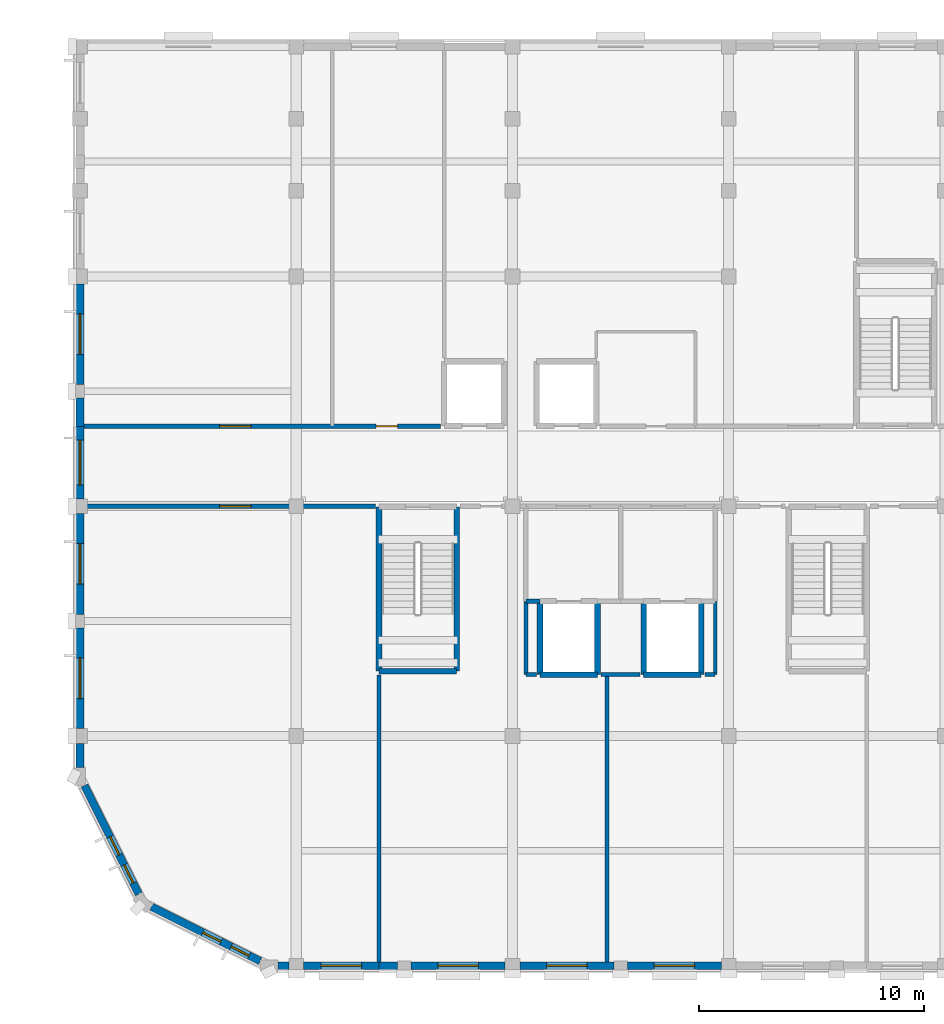
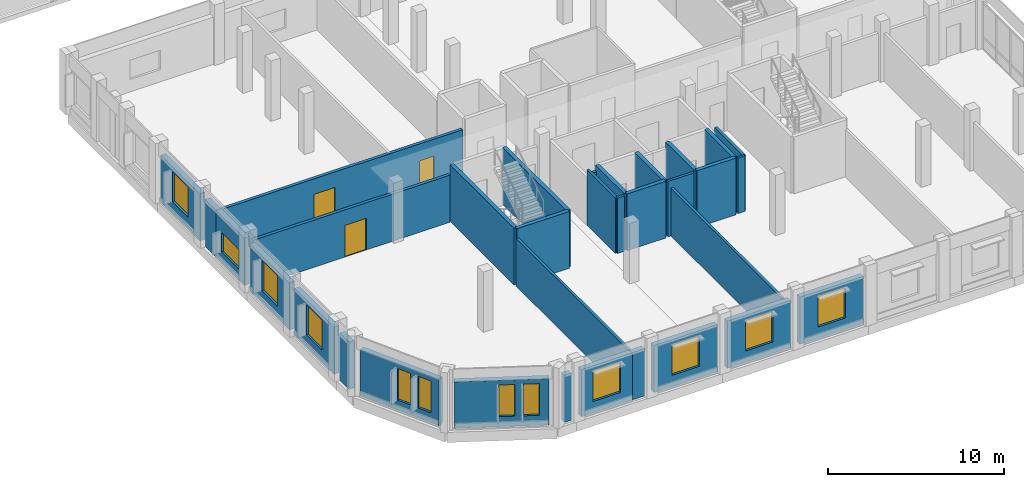
# One storey, part 177 of 200: 33 walls, 12 windows, 3 doors, 15 openings.
"""IFC4 building model written with IfcOpenShell, lengths in metres."""

from ifc_helpers import new_model, si_unit, direction, frame, frame_2d, origin, place, context, subcontext, project, spatial, rectangle, extrude, material, layer, layer_set, type_object, element, fill, save


model = new_model("IFC4")

# Units and contexts
model_context = context("Model", 3, precision=1e-05, world=origin(), true_north=direction((0.0, 1.0)))
body_context = subcontext(model_context, "Body", "Model", "MODEL_VIEW")
ifc_project = project(units=[si_unit("LENGTHUNIT", "METRE"), si_unit("AREAUNIT", "SQUARE_METRE"), si_unit("VOLUMEUNIT", "CUBIC_METRE"), si_unit("PLANEANGLEUNIT", "RADIAN"), si_unit("MASSUNIT", "GRAM", prefix="KILO")], contexts=[model_context])

# Site, building, storey
site_placement = place(None, origin())
site = spatial("IfcSite", under=ifc_project, at=site_placement, CompositionType="ELEMENT")
building_placement = place(site_placement, origin())
building = spatial("IfcBuilding", under=site, at=building_placement, Name="Vondelvale Polytechnic", CompositionType="ELEMENT")
storey_placement = place(building_placement, frame((0.0, 0.0, 13.800048828125)))
storey = spatial("IfcBuildingStorey", under=building, at=storey_placement, Name="L03", CompositionType="ELEMENT", Elevation=13.800048828125)

# Wall, openings, windows
ifc_material_1 = material(Name="Amsterdam School iron-spot clinker clay brickwork", Category="masonry")
ifc_layer_1 = layer(ifc_material_1, 0.340087890625)
ifc_layer_set_1 = layer_set([ifc_layer_1], Name="WL-BRICK-340")
wall_type_1 = type_object("IfcWallType", Name="WL-BRICK-340", PredefinedType="SOLIDWALL", material=ifc_layer_set_1)
wall_1_placement = place(storey_placement, frame((7.9990234375, 0.200439453125, 0.0), z_axis=(0.0, 0.0, 1.0), x_axis=(-0.894418132042, 0.447231712958, 0.0)))
wall_1 = element("IfcWall", 1, at=wall_1_placement, inside=storey, type_object=wall_type_1, Name="L03 exterior masonry facade wall", PredefinedType="SOLIDWALL", context=body_context, shape_type="SweptSolid", body=[
    extrude(rectangle(XDim=5.39013671875, YDim=0.340087890625, at=frame_2d((2.695068359375, 0.0))), origin(), (0.0, 0.0, 1.0), 3.22998046875),
])
opening_1_placement = place(wall_1_placement, frame((0.550048828125, 0.0, 0.699951171875)))
opening_1 = element("IfcOpeningElement", 2, at=opening_1_placement, cuts=wall_1, Name="Opening WN-0204", PredefinedType="OPENING", context=body_context, shape_type="SweptSolid", body=[
    extrude(rectangle(XDim=0.89990234375, YDim=2.199951171875, at=frame_2d((0.449951171875, 1.10009765625))), frame((0.0, 0.179931640625, 0.0), z_axis=(0.0, -1.0, 0.0), x_axis=(1.0, 0.0, 0.0)), (0.0, 0.0, 1.0), 0.360107421875),
])
opening_2_placement = place(wall_1_placement, frame((1.949951171875, 0.0, 0.699951171875)))
opening_2 = element("IfcOpeningElement", 3, at=opening_2_placement, cuts=wall_1, Name="Opening WN-0205", PredefinedType="OPENING", context=body_context, shape_type="SweptSolid", body=[
    extrude(rectangle(XDim=0.89990234375, YDim=2.199951171875, at=frame_2d((0.449951171875, 1.10009765625))), frame((0.0, 0.179931640625, 0.0), z_axis=(0.0, -1.0, 0.0), x_axis=(1.0, 0.0, 0.0)), (0.0, 0.0, 1.0), 0.360107421875),
])
ifc_material_2 = material(Name="Double-glazed low-E insulated architectural glass", Category="glass")
window_type_1 = type_object("IfcWindowType", Name="WN-TUR-0900x2200", PartitioningType="SINGLE_PANEL", PredefinedType="WINDOW", material=ifc_material_2)
window_1_placement = place(opening_1_placement, origin())
window_1 = element("IfcWindow", 4, at=window_1_placement, inside=storey, type_object=window_type_1, Name="L03 double-glazed architectural window WN-0204", OverallHeight=2.199951171875, OverallWidth=0.89990234375, PartitioningType="SINGLE_PANEL", PredefinedType="WINDOW", context=body_context, shape_type="SweptSolid", body=[
    extrude(rectangle(XDim=0.89990234375, YDim=2.199951171875, at=frame_2d((0.449951171875, 1.10009765625))), frame((0.0, 0.030029296875, 0.0), z_axis=(0.0, -1.0, 0.0), x_axis=(1.0, 0.0, 0.0)), (0.0, 0.0, 1.0), 0.06005859375),
])
fill(opening_1, window_1)
window_2_placement = place(opening_2_placement, origin())
window_2 = element("IfcWindow", 5, at=window_2_placement, inside=storey, type_object=window_type_1, Name="L03 double-glazed architectural window WN-0205", OverallHeight=2.199951171875, OverallWidth=0.89990234375, PartitioningType="SINGLE_PANEL", PredefinedType="WINDOW", context=body_context, shape_type="SweptSolid", body=[
    extrude(rectangle(XDim=0.89990234375, YDim=2.199951171875, at=frame_2d((0.449951171875, 1.10009765625))), frame((0.0, 0.030029296875, 0.0), z_axis=(0.0, -1.0, 0.0), x_axis=(1.0, 0.0, 0.0)), (0.0, 0.0, 1.0), 0.06005859375),
])
fill(opening_2, window_2)

wall_2_placement = place(storey_placement, frame((2.611083984375, 3.177978515625, 0.0), z_axis=(0.0, 0.0, 1.0), x_axis=(-0.447231712958, 0.894418132042, 0.0)))
wall_2 = element("IfcWall", 6, at=wall_2_placement, inside=storey, type_object=wall_type_1, Name="L03 exterior masonry facade wall", PredefinedType="SOLIDWALL", context=body_context, shape_type="SweptSolid", body=[
    extrude(rectangle(XDim=5.39013671875, YDim=0.340087890625, at=frame_2d((2.695068359375, 0.0))), origin(), (0.0, 0.0, 1.0), 3.22998046875),
])
opening_3_placement = place(wall_2_placement, frame((0.550048828125, 0.0, 0.699951171875)))
opening_3 = element("IfcOpeningElement", 7, at=opening_3_placement, cuts=wall_2, Name="Opening WN-0206", PredefinedType="OPENING", context=body_context, shape_type="SweptSolid", body=[
    extrude(rectangle(XDim=0.89990234375, YDim=2.199951171875, at=frame_2d((0.449951171875, 1.10009765625))), frame((0.0, 0.179931640625, 0.0), z_axis=(0.0, -1.0, 0.0), x_axis=(1.0, 0.0, 0.0)), (0.0, 0.0, 1.0), 0.360107421875),
])
opening_4_placement = place(wall_2_placement, frame((1.949951171875, 0.0, 0.699951171875)))
opening_4 = element("IfcOpeningElement", 8, at=opening_4_placement, cuts=wall_2, Name="Opening WN-0207", PredefinedType="OPENING", context=body_context, shape_type="SweptSolid", body=[
    extrude(rectangle(XDim=0.89990234375, YDim=2.199951171875, at=frame_2d((0.449951171875, 1.10009765625))), frame((0.0, 0.179931640625, 0.0), z_axis=(0.0, -1.0, 0.0), x_axis=(1.0, 0.0, 0.0)), (0.0, 0.0, 1.0), 0.360107421875),
])
window_3_placement = place(opening_3_placement, origin())
window_3 = element("IfcWindow", 9, at=window_3_placement, inside=storey, type_object=window_type_1, Name="L03 double-glazed architectural window WN-0206", OverallHeight=2.199951171875, OverallWidth=0.89990234375, PartitioningType="SINGLE_PANEL", PredefinedType="WINDOW", context=body_context, shape_type="SweptSolid", body=[
    extrude(rectangle(XDim=0.89990234375, YDim=2.199951171875, at=frame_2d((0.449951171875, 1.10009765625))), frame((0.0, 0.030029296875, 0.0), z_axis=(0.0, -1.0, 0.0), x_axis=(1.0, 0.0, 0.0)), (0.0, 0.0, 1.0), 0.06005859375),
])
fill(opening_3, window_3)
window_4_placement = place(opening_4_placement, origin())
window_4 = element("IfcWindow", 10, at=window_4_placement, inside=storey, type_object=window_type_1, Name="L03 double-glazed architectural window WN-0207", OverallHeight=2.199951171875, OverallWidth=0.89990234375, PartitioningType="SINGLE_PANEL", PredefinedType="WINDOW", context=body_context, shape_type="SweptSolid", body=[
    extrude(rectangle(XDim=0.89990234375, YDim=2.199951171875, at=frame_2d((0.449951171875, 1.10009765625))), frame((0.0, 0.030029296875, 0.0), z_axis=(0.0, -1.0, 0.0), x_axis=(1.0, 0.0, 0.0)), (0.0, 0.0, 1.0), 0.06005859375),
])
fill(opening_4, window_4)

# Wall
wall_3_placement = place(storey_placement, frame((9.27392578125, 0.0, 0.0), z_axis=(0.0, 0.0, 1.0), x_axis=(-1.0, 0.0, 0.0)))
element("IfcWall", 11, at=wall_3_placement, inside=storey, type_object=wall_type_1, Name="L03 exterior masonry facade wall", PredefinedType="SOLIDWALL", context=body_context, shape_type="SweptSolid", body=[
    extrude(rectangle(XDim=0.472900390625, YDim=0.340087890625, at=frame_2d((0.236328125, 0.0))), origin(), (0.0, 0.0, 1.0), 3.280029296875),
])

# Wall, opening, window
wall_4_placement = place(storey_placement, frame((13.27490234375, 0.0, 0.0), z_axis=(0.0, 0.0, 1.0), x_axis=(-1.0, 0.0, 0.0)))
wall_4 = element("IfcWall", 12, at=wall_4_placement, inside=storey, type_object=wall_type_1, Name="L03 exterior masonry facade wall", PredefinedType="SOLIDWALL", context=body_context, shape_type="SweptSolid", body=[
    extrude(rectangle(XDim=3.348876953125, YDim=0.340087890625, at=frame_2d((1.67431640625, 0.0))), origin(), (0.0, 0.0, 1.0), 3.280029296875),
])
opening_5_placement = place(wall_4_placement, frame((0.7744140625, 0.0, 0.800048828125)))
opening_5 = element("IfcOpeningElement", 13, at=opening_5_placement, cuts=wall_4, Name="Opening WN-0208", PredefinedType="OPENING", context=body_context, shape_type="SweptSolid", body=[
    extrude(rectangle(XDim=1.800048828125, YDim=2.10009765625, at=frame_2d((0.89990234375, 1.050048828125))), frame((0.0, 0.179931640625, 0.0), z_axis=(0.0, -1.0, 0.0), x_axis=(1.0, 0.0, 0.0)), (0.0, 0.0, 1.0), 0.360107421875),
])
window_type_2 = type_object("IfcWindowType", Name="WN-LAB-1800x2100", PartitioningType="SINGLE_PANEL", PredefinedType="WINDOW", material=ifc_material_2)
window_5_placement = place(opening_5_placement, origin())
window_5 = element("IfcWindow", 14, at=window_5_placement, inside=storey, type_object=window_type_2, Name="L03 double-glazed architectural window WN-0208", OverallHeight=2.10009765625, OverallWidth=1.800048828125, PartitioningType="SINGLE_PANEL", PredefinedType="WINDOW", context=body_context, shape_type="SweptSolid", body=[
    extrude(rectangle(XDim=1.800048828125, YDim=2.10009765625, at=frame_2d((0.89990234375, 1.050048828125))), frame((0.0, 0.030029296875, 0.0), z_axis=(0.0, -1.0, 0.0), x_axis=(1.0, 0.0, 0.0)), (0.0, 0.0, 1.0), 0.06005859375),
])
fill(opening_5, window_5)

# Wall
wall_5_placement = place(storey_placement, frame((14.09912109375, 0.0, 0.0), z_axis=(0.0, 0.0, 1.0), x_axis=(-1.0, 0.0, 0.0)))
element("IfcWall", 15, at=wall_5_placement, inside=storey, type_object=wall_type_1, Name="L03 exterior masonry facade wall", PredefinedType="SOLIDWALL", context=body_context, shape_type="SweptSolid", body=[
    extrude(rectangle(XDim=0.82421875, YDim=0.340087890625, at=frame_2d((0.412109375, 0.0))), origin(), (0.0, 0.0, 1.0), 3.280029296875),
])

# Wall, opening, window
wall_6_placement = place(storey_placement, frame((18.8740234375, 0.0, 0.0), z_axis=(0.0, 0.0, 1.0), x_axis=(-1.0, 0.0, 0.0)))
wall_6 = element("IfcWall", 16, at=wall_6_placement, inside=storey, type_object=wall_type_1, Name="L03 exterior masonry facade wall", PredefinedType="SOLIDWALL", context=body_context, shape_type="SweptSolid", body=[
    extrude(rectangle(XDim=4.173095703125, YDim=0.340087890625, at=frame_2d((2.08642578125, 0.0))), origin(), (0.0, 0.0, 1.0), 3.280029296875),
])
opening_6_placement = place(wall_6_placement, frame((1.1865234375, 0.0, 0.800048828125)))
opening_6 = element("IfcOpeningElement", 17, at=opening_6_placement, cuts=wall_6, Name="Opening WN-0209", PredefinedType="OPENING", context=body_context, shape_type="SweptSolid", body=[
    extrude(rectangle(XDim=1.800048828125, YDim=2.10009765625, at=frame_2d((0.89990234375, 1.050048828125))), frame((0.0, 0.179931640625, 0.0), z_axis=(0.0, -1.0, 0.0), x_axis=(1.0, 0.0, 0.0)), (0.0, 0.0, 1.0), 0.360107421875),
])
window_6_placement = place(opening_6_placement, origin())
window_6 = element("IfcWindow", 18, at=window_6_placement, inside=storey, type_object=window_type_2, Name="L03 double-glazed architectural window WN-0209", OverallHeight=2.10009765625, OverallWidth=1.800048828125, PartitioningType="SINGLE_PANEL", PredefinedType="WINDOW", context=body_context, shape_type="SweptSolid", body=[
    extrude(rectangle(XDim=1.800048828125, YDim=2.10009765625, at=frame_2d((0.89990234375, 1.050048828125))), frame((0.0, 0.030029296875, 0.0), z_axis=(0.0, -1.0, 0.0), x_axis=(1.0, 0.0, 0.0)), (0.0, 0.0, 1.0), 0.06005859375),
])
fill(opening_6, window_6)

wall_7_placement = place(storey_placement, frame((23.698974609375, 0.0, 0.0), z_axis=(0.0, 0.0, 1.0), x_axis=(-1.0, 0.0, 0.0)))
wall_7 = element("IfcWall", 19, at=wall_7_placement, inside=storey, type_object=wall_type_1, Name="L03 exterior masonry facade wall", PredefinedType="SOLIDWALL", context=body_context, shape_type="SweptSolid", body=[
    extrude(rectangle(XDim=4.173095703125, YDim=0.340087890625, at=frame_2d((2.08642578125, 0.0))), origin(), (0.0, 0.0, 1.0), 3.280029296875),
])
opening_7_placement = place(wall_7_placement, frame((1.1865234375, 0.0, 0.800048828125)))
opening_7 = element("IfcOpeningElement", 20, at=opening_7_placement, cuts=wall_7, Name="Opening WN-0210", PredefinedType="OPENING", context=body_context, shape_type="SweptSolid", body=[
    extrude(rectangle(XDim=1.800048828125, YDim=2.10009765625, at=frame_2d((0.89990234375, 1.050048828125))), frame((0.0, 0.179931640625, 0.0), z_axis=(0.0, -1.0, 0.0), x_axis=(1.0, 0.0, 0.0)), (0.0, 0.0, 1.0), 0.360107421875),
])
window_7_placement = place(opening_7_placement, origin())
window_7 = element("IfcWindow", 21, at=window_7_placement, inside=storey, type_object=window_type_2, Name="L03 double-glazed architectural window WN-0210", OverallHeight=2.10009765625, OverallWidth=1.800048828125, PartitioningType="SINGLE_PANEL", PredefinedType="WINDOW", context=body_context, shape_type="SweptSolid", body=[
    extrude(rectangle(XDim=1.800048828125, YDim=2.10009765625, at=frame_2d((0.89990234375, 1.050048828125))), frame((0.0, 0.030029296875, 0.0), z_axis=(0.0, -1.0, 0.0), x_axis=(1.0, 0.0, 0.0)), (0.0, 0.0, 1.0), 0.06005859375),
])
fill(opening_7, window_7)

wall_8_placement = place(storey_placement, frame((28.47412109375, 0.0, 0.0), z_axis=(0.0, 0.0, 1.0), x_axis=(-1.0, 0.0, 0.0)))
wall_8 = element("IfcWall", 22, at=wall_8_placement, inside=storey, type_object=wall_type_1, Name="L03 exterior masonry facade wall", PredefinedType="SOLIDWALL", context=body_context, shape_type="SweptSolid", body=[
    extrude(rectangle(XDim=4.173095703125, YDim=0.340087890625, at=frame_2d((2.08642578125, 0.0))), origin(), (0.0, 0.0, 1.0), 3.280029296875),
])
opening_8_placement = place(wall_8_placement, frame((1.1865234375, 0.0, 0.800048828125)))
opening_8 = element("IfcOpeningElement", 23, at=opening_8_placement, cuts=wall_8, Name="Opening WN-0211", PredefinedType="OPENING", context=body_context, shape_type="SweptSolid", body=[
    extrude(rectangle(XDim=1.800048828125, YDim=2.10009765625, at=frame_2d((0.89990234375, 1.050048828125))), frame((0.0, 0.179931640625, 0.0), z_axis=(0.0, -1.0, 0.0), x_axis=(1.0, 0.0, 0.0)), (0.0, 0.0, 1.0), 0.360107421875),
])
window_8_placement = place(opening_8_placement, origin())
window_8 = element("IfcWindow", 24, at=window_8_placement, inside=storey, type_object=window_type_2, Name="L03 double-glazed architectural window WN-0211", OverallHeight=2.10009765625, OverallWidth=1.800048828125, PartitioningType="SINGLE_PANEL", PredefinedType="WINDOW", context=body_context, shape_type="SweptSolid", body=[
    extrude(rectangle(XDim=1.800048828125, YDim=2.10009765625, at=frame_2d((0.89990234375, 1.050048828125))), frame((0.0, 0.030029296875, 0.0), z_axis=(0.0, -1.0, 0.0), x_axis=(1.0, 0.0, 0.0)), (0.0, 0.0, 1.0), 0.06005859375),
])
fill(opening_8, window_8)

# Wall
wall_9_placement = place(storey_placement, frame((0.0, 8.801025390625, 0.0), z_axis=(0.0, 0.0, 1.0), x_axis=(0.0, 1.0, 0.0)))
element("IfcWall", 25, at=wall_9_placement, inside=storey, type_object=wall_type_1, Name="L03 exterior masonry facade wall", PredefinedType="SOLIDWALL", context=body_context, shape_type="SweptSolid", body=[
    extrude(rectangle(XDim=1.072998046875, YDim=0.340087890625, at=frame_2d((0.53662109375, 0.0))), origin(), (0.0, 0.0, 1.0), 3.280029296875),
])

# Wall, opening, window
wall_10_placement = place(storey_placement, frame((0.0, 10.52587890625, 0.0), z_axis=(0.0, 0.0, 1.0), x_axis=(0.0, 1.0, 0.0)))
wall_10 = element("IfcWall", 26, at=wall_10_placement, inside=storey, type_object=wall_type_1, Name="L03 exterior masonry facade wall", PredefinedType="SOLIDWALL", context=body_context, shape_type="SweptSolid", body=[
    extrude(rectangle(XDim=4.47314453125, YDim=0.340087890625, at=frame_2d((2.236572265625, 0.0))), origin(), (0.0, 0.0, 1.0), 3.280029296875),
])
opening_9_placement = place(wall_10_placement, frame((1.33642578125, 0.0, 0.85009765625)))
opening_9 = element("IfcOpeningElement", 27, at=opening_9_placement, cuts=wall_10, Name="Opening WN-0216", PredefinedType="OPENING", context=body_context, shape_type="SweptSolid", body=[
    extrude(rectangle(XDim=1.800048828125, YDim=2.10009765625, at=frame_2d((0.89990234375, 1.050048828125))), frame((0.0, 0.179931640625, 0.0), z_axis=(0.0, -1.0, 0.0), x_axis=(1.0, 0.0, 0.0)), (0.0, 0.0, 1.0), 0.360107421875),
])
window_9_placement = place(opening_9_placement, origin())
window_9 = element("IfcWindow", 28, at=window_9_placement, inside=storey, type_object=window_type_2, Name="L03 double-glazed architectural window WN-0216", OverallHeight=2.10009765625, OverallWidth=1.800048828125, PartitioningType="SINGLE_PANEL", PredefinedType="WINDOW", context=body_context, shape_type="SweptSolid", body=[
    extrude(rectangle(XDim=1.800048828125, YDim=2.10009765625, at=frame_2d((0.89990234375, 1.050048828125))), frame((0.0, 0.030029296875, 0.0), z_axis=(0.0, -1.0, 0.0), x_axis=(1.0, 0.0, 0.0)), (0.0, 0.0, 1.0), 0.06005859375),
])
fill(opening_9, window_9)

wall_11_placement = place(storey_placement, frame((0.0, 15.60107421875, 0.0), z_axis=(0.0, 0.0, 1.0), x_axis=(0.0, 1.0, 0.0)))
wall_11 = element("IfcWall", 29, at=wall_11_placement, inside=storey, type_object=wall_type_1, Name="L03 exterior masonry facade wall", PredefinedType="SOLIDWALL", context=body_context, shape_type="SweptSolid", body=[
    extrude(rectangle(XDim=4.472900390625, YDim=0.340087890625, at=frame_2d((2.236328125, 0.0))), origin(), (0.0, 0.0, 1.0), 3.280029296875),
])
opening_10_placement = place(wall_11_placement, frame((1.33642578125, 0.0, 0.85009765625)))
opening_10 = element("IfcOpeningElement", 30, at=opening_10_placement, cuts=wall_11, Name="Opening WN-0217", PredefinedType="OPENING", context=body_context, shape_type="SweptSolid", body=[
    extrude(rectangle(XDim=1.800048828125, YDim=2.10009765625, at=frame_2d((0.89990234375, 1.050048828125))), frame((0.0, 0.179931640625, 0.0), z_axis=(0.0, -1.0, 0.0), x_axis=(1.0, 0.0, 0.0)), (0.0, 0.0, 1.0), 0.360107421875),
])
window_10_placement = place(opening_10_placement, origin())
window_10 = element("IfcWindow", 31, at=window_10_placement, inside=storey, type_object=window_type_2, Name="L03 double-glazed architectural window WN-0217", OverallHeight=2.10009765625, OverallWidth=1.800048828125, PartitioningType="SINGLE_PANEL", PredefinedType="WINDOW", context=body_context, shape_type="SweptSolid", body=[
    extrude(rectangle(XDim=1.800048828125, YDim=2.10009765625, at=frame_2d((0.89990234375, 1.050048828125))), frame((0.0, 0.030029296875, 0.0), z_axis=(0.0, -1.0, 0.0), x_axis=(1.0, 0.0, 0.0)), (0.0, 0.0, 1.0), 0.06005859375),
])
fill(opening_10, window_10)

wall_12_placement = place(storey_placement, frame((0.0, 20.72607421875, 0.0), z_axis=(0.0, 0.0, 1.0), x_axis=(0.0, 1.0, 0.0)))
wall_12 = element("IfcWall", 32, at=wall_12_placement, inside=storey, type_object=wall_type_1, Name="L03 exterior masonry facade wall", PredefinedType="SOLIDWALL", context=body_context, shape_type="SweptSolid", body=[
    extrude(rectangle(XDim=3.223876953125, YDim=0.340087890625, at=frame_2d((1.61181640625, 0.0))), origin(), (0.0, 0.0, 1.0), 3.280029296875),
])
opening_11_placement = place(wall_12_placement, frame((0.612060546875, 0.0, 0.75)))
opening_11 = element("IfcOpeningElement", 33, at=opening_11_placement, cuts=wall_12, Name="Opening WN-0218", PredefinedType="OPENING", context=body_context, shape_type="SweptSolid", body=[
    extrude(rectangle(XDim=2.0, YDim=1.35009765625, at=frame_2d((1.0, 0.675048828125))), frame((0.0, 0.179931640625, 0.0), z_axis=(0.0, -1.0, 0.0), x_axis=(1.0, 0.0, 0.0)), (0.0, 0.0, 1.0), 0.360107421875),
])
window_type_3 = type_object("IfcWindowType", Name="WN-RIB-2000x1350", PartitioningType="SINGLE_PANEL", PredefinedType="WINDOW", material=ifc_material_2)
window_11_placement = place(opening_11_placement, origin())
window_11 = element("IfcWindow", 34, at=window_11_placement, inside=storey, type_object=window_type_3, Name="L03 double-glazed architectural window WN-0218", OverallHeight=1.35009765625, OverallWidth=2.0, PartitioningType="SINGLE_PANEL", PredefinedType="WINDOW", context=body_context, shape_type="SweptSolid", body=[
    extrude(rectangle(XDim=2.0, YDim=1.35009765625, at=frame_2d((1.0, 0.675048828125))), frame((0.0, 0.030029296875, 0.0), z_axis=(0.0, -1.0, 0.0), x_axis=(1.0, 0.0, 0.0)), (0.0, 0.0, 1.0), 0.06005859375),
])
fill(opening_11, window_11)

# Wall
wall_13_placement = place(storey_placement, frame((0.0, 23.949951171875, 0.0), z_axis=(0.0, 0.0, 1.0), x_axis=(0.0, 1.0, 0.0)))
element("IfcWall", 35, at=wall_13_placement, inside=storey, type_object=wall_type_1, Name="L03 exterior masonry facade wall", PredefinedType="SOLIDWALL", context=body_context, shape_type="SweptSolid", body=[
    extrude(rectangle(XDim=1.2490234375, YDim=0.340087890625, at=frame_2d((0.62451171875, 0.0))), origin(), (0.0, 0.0, 1.0), 3.280029296875),
])

# Wall, opening, window
wall_14_placement = place(storey_placement, frame((0.0, 25.801025390625, 0.0), z_axis=(0.0, 0.0, 1.0), x_axis=(0.0, 1.0, 0.0)))
wall_14 = element("IfcWall", 36, at=wall_14_placement, inside=storey, type_object=wall_type_1, Name="L03 exterior masonry facade wall", PredefinedType="SOLIDWALL", context=body_context, shape_type="SweptSolid", body=[
    extrude(rectangle(XDim=4.472900390625, YDim=0.340087890625, at=frame_2d((2.236328125, 0.0))), origin(), (0.0, 0.0, 1.0), 3.280029296875),
])
opening_12_placement = place(wall_14_placement, frame((1.33642578125, 0.0, 0.85009765625)))
opening_12 = element("IfcOpeningElement", 37, at=opening_12_placement, cuts=wall_14, Name="Opening WN-0219", PredefinedType="OPENING", context=body_context, shape_type="SweptSolid", body=[
    extrude(rectangle(XDim=1.800048828125, YDim=2.10009765625, at=frame_2d((0.89990234375, 1.050048828125))), frame((0.0, 0.179931640625, 0.0), z_axis=(0.0, -1.0, 0.0), x_axis=(1.0, 0.0, 0.0)), (0.0, 0.0, 1.0), 0.360107421875),
])
window_12_placement = place(opening_12_placement, origin())
window_12 = element("IfcWindow", 38, at=window_12_placement, inside=storey, type_object=window_type_2, Name="L03 double-glazed architectural window WN-0219", OverallHeight=2.10009765625, OverallWidth=1.800048828125, PartitioningType="SINGLE_PANEL", PredefinedType="WINDOW", context=body_context, shape_type="SweptSolid", body=[
    extrude(rectangle(XDim=1.800048828125, YDim=2.10009765625, at=frame_2d((0.89990234375, 1.050048828125))), frame((0.0, 0.030029296875, 0.0), z_axis=(0.0, -1.0, 0.0), x_axis=(1.0, 0.0, 0.0)), (0.0, 0.0, 1.0), 0.06005859375),
])
fill(opening_12, window_12)

# Walls
ifc_material_3 = material(Name="Concrete N40 (f'c = 40 MPa)", Category="concrete")
ifc_layer_2 = layer(ifc_material_3, 0.25)
ifc_layer_set_2 = layer_set([ifc_layer_2], Name="WL-CORE-250")
wall_type_2 = type_object("IfcWallType", Name="WL-CORE-250", PredefinedType="SOLIDWALL", material=ifc_layer_set_2)
wall_15_placement = place(storey_placement, frame((13.27490234375, 20.375, 0.0), z_axis=(0.0, 0.0, 1.0), x_axis=(0.0, -1.0, 0.0)))
element("IfcWall", 39, at=wall_15_placement, inside=storey, type_object=wall_type_2, Name="L03 ST-03 reinforced concrete stair core wall", PredefinedType="SOLIDWALL", context=body_context, shape_type="SweptSolid", body=[
    extrude(rectangle(XDim=7.300048828125, YDim=0.25, at=frame_2d((3.64990234375, 0.0))), origin(), (0.0, 0.0, 1.0), 3.949951171875),
])
wall_16_placement = place(storey_placement, frame((13.27490234375, 13.074951171875, 0.0), z_axis=(0.0, 0.0, 1.0), x_axis=(1.0, 0.0, 0.0)))
element("IfcWall", 40, at=wall_16_placement, inside=storey, type_object=wall_type_2, Name="L03 ST-03 reinforced concrete stair core wall", PredefinedType="SOLIDWALL", context=body_context, shape_type="SweptSolid", body=[
    extrude(rectangle(XDim=3.4501953125, YDim=0.25, at=frame_2d((1.72509765625, 0.0))), origin(), (0.0, 0.0, 1.0), 3.949951171875),
])
wall_17_placement = place(storey_placement, frame((16.72509765625, 13.074951171875, 0.0), z_axis=(0.0, 0.0, 1.0), x_axis=(0.0, 1.0, 0.0)))
element("IfcWall", 41, at=wall_17_placement, inside=storey, type_object=wall_type_2, Name="L03 ST-03 reinforced concrete stair core wall", PredefinedType="SOLIDWALL", context=body_context, shape_type="SweptSolid", body=[
    extrude(rectangle(XDim=7.300048828125, YDim=0.25, at=frame_2d((3.64990234375, 0.0))), origin(), (0.0, 0.0, 1.0), 3.949951171875),
])
ifc_material_4 = material(Name="Fire-rated double-layer plasterboard stud partition")
ifc_layer_3 = layer(ifc_material_4, 0.199951171875)
ifc_layer_set_3 = layer_set([ifc_layer_3], Name="WL-CORR-200")
wall_type_3 = type_object("IfcWallType", Name="WL-CORR-200", PredefinedType="PARTITIONING", material=ifc_layer_set_3)
wall_18_placement = place(storey_placement, frame((19.800048828125, 16.175048828125, 0.0), z_axis=(0.0, 0.0, 1.0), x_axis=(1.0, 0.0, 0.0)))
element("IfcWall", 42, at=wall_18_placement, inside=storey, type_object=wall_type_3, Name="L03 EL-01 fire-isolated lift lobby wall", PredefinedType="PARTITIONING", context=body_context, shape_type="SweptSolid", body=[
    extrude(rectangle(XDim=0.625, YDim=0.199951171875, at=frame_2d((0.3125, 0.0))), origin(), (0.0, 0.0, 1.0), 3.550048828125),
])

# Wall, opening, door
wall_19_placement = place(storey_placement, frame((0.14990234375, 20.39990234375, 0.0), z_axis=(0.0, 0.0, 1.0), x_axis=(1.0, 0.0, 0.0)))
wall_19 = element("IfcWall", 43, at=wall_19_placement, inside=storey, type_object=wall_type_3, Name="L03 interior acoustic partition", PredefinedType="PARTITIONING", context=body_context, shape_type="SweptSolid", body=[
    extrude(rectangle(XDim=12.960205078125, YDim=0.199951171875, at=frame_2d((6.47998046875, 0.0))), origin(), (0.0, 0.0, 1.0), 3.280029296875),
])
opening_13_placement = place(wall_19_placement, frame((6.050048828125, 0.0, 0.0)))
opening_13 = element("IfcOpeningElement", 44, at=opening_13_placement, cuts=wall_19, Name="Opening ID-0167", PredefinedType="OPENING", context=body_context, shape_type="SweptSolid", body=[
    extrude(rectangle(XDim=1.39990234375, YDim=2.199951171875, at=frame_2d((0.699951171875, 1.10009765625))), frame((0.0, 0.10986328125, 0.0), z_axis=(0.0, -1.0, 0.0), x_axis=(1.0, 0.0, 0.0)), (0.0, 0.0, 1.0), 0.219970703125),
])
ifc_material_5 = material(Name="Fire-rated solid Tasmanian oak joinery")
door_type_1 = type_object("IfcDoorType", Name="DR-LAB-1400x2200", OperationType="DOUBLE_DOOR_SINGLE_SWING", PredefinedType="DOOR", material=ifc_material_5)
door_1_placement = place(opening_13_placement, origin())
door_1 = element("IfcDoor", 45, at=door_1_placement, inside=storey, type_object=door_type_1, Name="L03 interior room door ID-0167", OperationType="DOUBLE_DOOR_SINGLE_SWING", OverallHeight=2.199951171875, OverallWidth=1.39990234375, PredefinedType="DOOR", context=body_context, shape_type="SweptSolid", body=[
    extrude(rectangle(XDim=1.39990234375, YDim=2.199951171875, at=frame_2d((0.699951171875, 1.10009765625))), frame((0.0, 0.02490234375, 0.0), z_axis=(0.0, -1.0, 0.0), x_axis=(1.0, 0.0, 0.0)), (0.0, 0.0, 1.0), 0.050048828125),
])
fill(opening_13, door_1)

# Wall, openings, doors
wall_20_placement = place(storey_placement, frame((0.14990234375, 23.949951171875, 0.0), z_axis=(0.0, 0.0, 1.0), x_axis=(1.0, 0.0, 0.0)))
wall_20 = element("IfcWall", 46, at=wall_20_placement, inside=storey, type_object=wall_type_3, Name="L03 interior acoustic partition", PredefinedType="PARTITIONING", context=body_context, shape_type="SweptSolid", body=[
    extrude(rectangle(XDim=15.860107421875, YDim=0.199951171875, at=frame_2d((7.93017578125, 0.0))), origin(), (0.0, 0.0, 1.0), 3.280029296875),
])
opening_14_placement = place(wall_20_placement, frame((6.050048828125, 0.0, 0.0)))
opening_14 = element("IfcOpeningElement", 47, at=opening_14_placement, cuts=wall_20, Name="Opening ID-0173", PredefinedType="OPENING", context=body_context, shape_type="SweptSolid", body=[
    extrude(rectangle(XDim=1.39990234375, YDim=2.199951171875, at=frame_2d((0.699951171875, 1.10009765625))), frame((0.0, 0.10986328125, 0.0), z_axis=(0.0, -1.0, 0.0), x_axis=(1.0, 0.0, 0.0)), (0.0, 0.0, 1.0), 0.219970703125),
])
opening_15_placement = place(wall_20_placement, frame((13.0, 0.0, 0.0)))
opening_15 = element("IfcOpeningElement", 48, at=opening_15_placement, cuts=wall_20, Name="Opening ID-0174", PredefinedType="OPENING", context=body_context, shape_type="SweptSolid", body=[
    extrude(rectangle(XDim=0.949951171875, YDim=2.10009765625, at=frame_2d((0.47509765625, 1.050048828125))), frame((0.0, 0.10986328125, 0.0), z_axis=(0.0, -1.0, 0.0), x_axis=(1.0, 0.0, 0.0)), (0.0, 0.0, 1.0), 0.219970703125),
])
door_type_2 = type_object("IfcDoorType", Name="DR-INT-0950x2100", OperationType="SINGLE_SWING_LEFT", PredefinedType="DOOR", material=ifc_material_5)
door_2_placement = place(opening_15_placement, origin())
door_2 = element("IfcDoor", 49, at=door_2_placement, inside=storey, type_object=door_type_2, Name="L03 interior room door ID-0174", OperationType="SINGLE_SWING_RIGHT", OverallHeight=2.10009765625, OverallWidth=0.949951171875, PredefinedType="DOOR", context=body_context, shape_type="SweptSolid", body=[
    extrude(rectangle(XDim=0.949951171875, YDim=2.10009765625, at=frame_2d((0.47509765625, 1.050048828125))), frame((0.0, 0.02490234375, 0.0), z_axis=(0.0, -1.0, 0.0), x_axis=(1.0, 0.0, 0.0)), (0.0, 0.0, 1.0), 0.050048828125),
])
fill(opening_15, door_2)
door_3_placement = place(opening_14_placement, origin())
door_3 = element("IfcDoor", 50, at=door_3_placement, inside=storey, type_object=door_type_1, Name="L03 interior room door ID-0173", OperationType="DOUBLE_DOOR_SINGLE_SWING", OverallHeight=2.199951171875, OverallWidth=1.39990234375, PredefinedType="DOOR", context=body_context, shape_type="SweptSolid", body=[
    extrude(rectangle(XDim=1.39990234375, YDim=2.199951171875, at=frame_2d((0.699951171875, 1.10009765625))), frame((0.0, 0.02490234375, 0.0), z_axis=(0.0, -1.0, 0.0), x_axis=(1.0, 0.0, 0.0)), (0.0, 0.0, 1.0), 0.050048828125),
])
fill(opening_14, door_3)

# Walls
ifc_layer_4 = layer(ifc_material_4, 0.1650390625)
ifc_layer_set_4 = layer_set([ifc_layer_4], Name="WL-INT-165")
wall_type_4 = type_object("IfcWallType", Name="WL-INT-165", PredefinedType="PARTITIONING", material=ifc_layer_set_4)
wall_21_placement = place(storey_placement, frame((13.27490234375, 0.14990234375, 0.0), z_axis=(0.0, 0.0, 1.0), x_axis=(0.0, 1.0, 0.0)))
element("IfcWall", 51, at=wall_21_placement, inside=storey, type_object=wall_type_4, Name="L03 interior acoustic partition", PredefinedType="PARTITIONING", context=body_context, shape_type="SweptSolid", body=[
    extrude(rectangle(XDim=12.760009765625, YDim=0.1650390625, at=frame_2d((6.3798828125, 0.0))), origin(), (0.0, 0.0, 1.0), 3.329833984375),
])
wall_22_placement = place(storey_placement, frame((19.800048828125, 12.925048828125, 0.0), z_axis=(0.0, 0.0, 1.0), x_axis=(1.0, 0.0, 0.0)))
element("IfcWall", 52, at=wall_22_placement, inside=storey, type_object=wall_type_4, Name="L03 interior acoustic partition", PredefinedType="PARTITIONING", context=body_context, shape_type="SweptSolid", body=[
    extrude(rectangle(XDim=0.4599609375, YDim=0.1650390625, at=frame_2d((0.22998046875, 0.0))), origin(), (0.0, 0.0, 1.0), 3.849853515625),
])
wall_23_placement = place(storey_placement, frame((23.139892578125, 12.925048828125, 0.0), z_axis=(0.0, 0.0, 1.0), x_axis=(1.0, 0.0, 0.0)))
element("IfcWall", 53, at=wall_23_placement, inside=storey, type_object=wall_type_4, Name="L03 interior acoustic partition", PredefinedType="PARTITIONING", context=body_context, shape_type="SweptSolid", body=[
    extrude(rectangle(XDim=1.72021484375, YDim=0.1650390625, at=frame_2d((0.860107421875, 0.0))), origin(), (0.0, 0.0, 1.0), 3.849853515625),
])
wall_24_placement = place(storey_placement, frame((27.739990234375, 12.925048828125, 0.0), z_axis=(0.0, 0.0, 1.0), x_axis=(1.0, 0.0, 0.0)))
element("IfcWall", 54, at=wall_24_placement, inside=storey, type_object=wall_type_4, Name="L03 interior acoustic partition", PredefinedType="PARTITIONING", context=body_context, shape_type="SweptSolid", body=[
    extrude(rectangle(XDim=0.4599609375, YDim=0.1650390625, at=frame_2d((0.22998046875, 0.0))), origin(), (0.0, 0.0, 1.0), 3.849853515625),
])
wall_25_placement = place(storey_placement, frame((19.800048828125, 12.925048828125, 0.0), z_axis=(0.0, 0.0, 1.0), x_axis=(0.0, 1.0, 0.0)))
element("IfcWall", 55, at=wall_25_placement, inside=storey, type_object=wall_type_4, Name="L03 interior acoustic partition", PredefinedType="PARTITIONING", context=body_context, shape_type="SweptSolid", body=[
    extrude(rectangle(XDim=3.25, YDim=0.1650390625, at=frame_2d((1.625, 0.0))), origin(), (0.0, 0.0, 1.0), 3.849853515625),
])
wall_26_placement = place(storey_placement, frame((23.39990234375, 0.14990234375, 0.0), z_axis=(0.0, 0.0, 1.0), x_axis=(0.0, 1.0, 0.0)))
element("IfcWall", 56, at=wall_26_placement, inside=storey, type_object=wall_type_4, Name="L03 interior acoustic partition", PredefinedType="PARTITIONING", context=body_context, shape_type="SweptSolid", body=[
    extrude(rectangle(XDim=12.775146484375, YDim=0.1650390625, at=frame_2d((6.3876953125, 0.0))), origin(), (0.0, 0.0, 1.0), 3.329833984375),
])
wall_27_placement = place(storey_placement, frame((28.199951171875, 12.925048828125, 0.0), z_axis=(0.0, 0.0, 1.0), x_axis=(0.0, 1.0, 0.0)))
element("IfcWall", 57, at=wall_27_placement, inside=storey, type_object=wall_type_4, Name="L03 interior acoustic partition", PredefinedType="PARTITIONING", context=body_context, shape_type="SweptSolid", body=[
    extrude(rectangle(XDim=3.25, YDim=0.1650390625, at=frame_2d((1.625, 0.0))), origin(), (0.0, 0.0, 1.0), 3.849853515625),
])
ifc_layer_5 = layer(ifc_material_3, 0.25)
ifc_layer_set_5 = layer_set([ifc_layer_5], Name="WL-SHAFT-250")
wall_type_5 = type_object("IfcWallType", Name="WL-SHAFT-250", PredefinedType="SOLIDWALL", material=ifc_layer_set_5)
wall_28_placement = place(storey_placement, frame((20.425048828125, 12.925048828125, 0.0), z_axis=(0.0, 0.0, 1.0), x_axis=(1.0, 0.0, 0.0)))
element("IfcWall", 58, at=wall_28_placement, inside=storey, type_object=wall_type_5, Name="L03 EL-01 lift shaft wall S", PredefinedType="SOLIDWALL", context=body_context, shape_type="SweptSolid", body=[
    extrude(rectangle(XDim=2.550048828125, YDim=0.25, at=frame_2d((1.27490234375, 0.0))), origin(), (0.0, 0.0, 1.0), 3.949951171875),
])
for number, where, z_axis, x_axis, name in (
    (59, (22.97509765625, 12.925048828125, 0.0), (0.0, 0.0, 1.0), (0.0, 1.0, 0.0), "L03 EL-01 lift shaft wall E"),
    (60, (20.425048828125, 16.175048828125, 0.0), (0.0, 0.0, 1.0), (0.0, -1.0, 0.0), "L03 EL-01 lift shaft wall W"),
):
    element("IfcWall", number, at=place(storey_placement, frame(where, z_axis=z_axis, x_axis=x_axis)), inside=storey, type_object=wall_type_5, Name=name, PredefinedType="SOLIDWALL", context=body_context, shape_type="SweptSolid", body=[
        extrude(rectangle(XDim=3.25, YDim=0.25, at=frame_2d((1.625, 0.0))), origin(), (0.0, 0.0, 1.0), 3.949951171875),
    ])
wall_29_placement = place(storey_placement, frame((25.02490234375, 12.925048828125, 0.0), z_axis=(0.0, 0.0, 1.0), x_axis=(1.0, 0.0, 0.0)))
element("IfcWall", 61, at=wall_29_placement, inside=storey, type_object=wall_type_5, Name="L03 EL-02 lift shaft wall S", PredefinedType="SOLIDWALL", context=body_context, shape_type="SweptSolid", body=[
    extrude(rectangle(XDim=2.550048828125, YDim=0.25, at=frame_2d((1.27490234375, 0.0))), origin(), (0.0, 0.0, 1.0), 3.949951171875),
])
for number, where, z_axis, x_axis, name in (
    (62, (27.574951171875, 12.925048828125, 0.0), (0.0, 0.0, 1.0), (0.0, 1.0, 0.0), "L03 EL-02 lift shaft wall E"),
    (63, (25.02490234375, 16.175048828125, 0.0), (0.0, 0.0, 1.0), (0.0, -1.0, 0.0), "L03 EL-02 lift shaft wall W"),
):
    element("IfcWall", number, at=place(storey_placement, frame(where, z_axis=z_axis, x_axis=x_axis)), inside=storey, type_object=wall_type_5, Name=name, PredefinedType="SOLIDWALL", context=body_context, shape_type="SweptSolid", body=[
        extrude(rectangle(XDim=3.25, YDim=0.25, at=frame_2d((1.625, 0.0))), origin(), (0.0, 0.0, 1.0), 3.949951171875),
    ])

save(model, "model.ifc")
